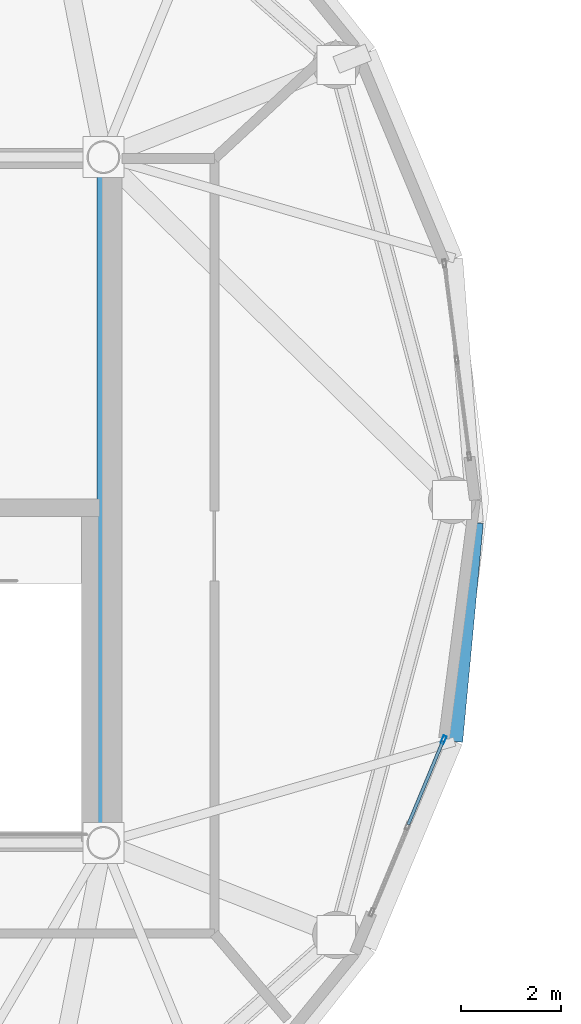
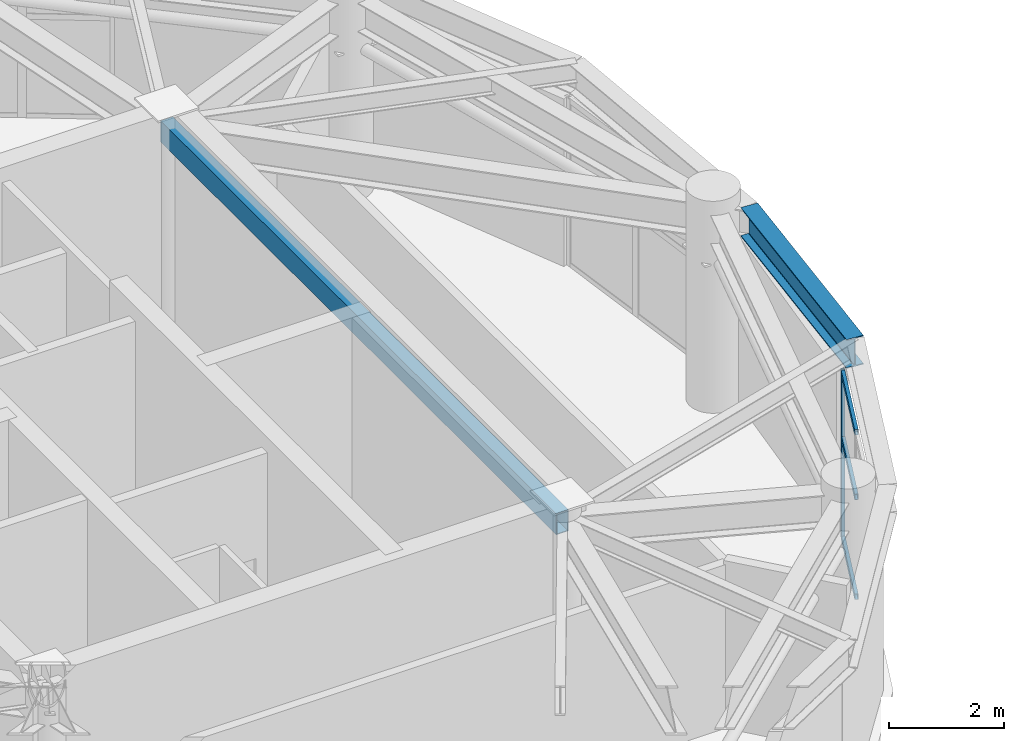
# One storey, part 6 of 26: 4 members, 2 beams, 1 element without a shape of its own.
"""IFC4 building model written with IfcOpenShell, lengths in metres."""

from ifc_helpers import new_model, si_unit, direction, frame, origin, origin_2d, place, context, subcontext, project, spatial, hollow_rectangle, i_section, extrude, material, layer, layer_set, material_profile, profile_set, type_object, element, aggregate, save


model = new_model("IFC4")

# Units and contexts
model_context = context("Model", 3, precision=1e-05, world=origin(), true_north=direction((0.0, 1.0)))
body_context = subcontext(model_context, "Body", "Model", "MODEL_VIEW")
ifc_project = project(units=[si_unit("LENGTHUNIT", "METRE"), si_unit("AREAUNIT", "SQUARE_METRE"), si_unit("VOLUMEUNIT", "CUBIC_METRE"), si_unit("PLANEANGLEUNIT", "RADIAN"), si_unit("MASSUNIT", "GRAM", prefix="KILO")], contexts=[model_context])

# Site, building, storey
site_placement = place(None, origin())
site = spatial("IfcSite", under=ifc_project, at=site_placement, CompositionType="ELEMENT")
building_placement = place(site_placement, origin())
building = spatial("IfcBuilding", under=site, at=building_placement, Name="Cununo Teusaquillo Station Towers", CompositionType="ELEMENT")
storey_placement = place(building_placement, frame((0.0, 0.0, 240.330078125)))
storey = spatial("IfcBuildingStorey", under=building, at=storey_placement, Name="L76", CompositionType="ELEMENT", Elevation=240.330078125)

# Beams
ifc_material_1 = material(Name="Steel EN 10025-2 S355J2", Category="steel")
ifc_material_profile_1 = material_profile(ifc_material_1, hollow_rectangle(XDim=0.25, YDim=0.449951171875, WallThickness=0.01611328125, at=origin_2d()), Name="RHS 450x250x16")
ifc_profile_set_1 = profile_set([ifc_material_profile_1], Name="Steel EN 10025-2 S355J2")
beam_type_1 = type_object("IfcBeamType", Name="BM-COUP-1", PredefinedType="USERDEFINED", material=ifc_profile_set_1)
beam_1_placement = place(storey_placement, frame((21.675048828125, 17.6201171875, 3.974853515625), z_axis=(0.0, 1.0, 0.0), x_axis=(-1.0, 0.0, 0.0)))
element("IfcBeam", 1, at=beam_1_placement, inside=storey, type_object=beam_type_1, Name="L76 Tower A Core Beam 2", ObjectType="COUPLING BEAM", PredefinedType="USERDEFINED", context=body_context, shape_type="SweptSolid", body=[
    extrude(hollow_rectangle(XDim=0.25, YDim=0.449951171875, WallThickness=0.01611328125, at=origin_2d()), origin(), (0.0, 0.0, 1.0), 13.759765625),
])
ifc_material_2 = material(Name="Steel ASTM A572 Grade 50", Category="steel")
ifc_material_profile_2 = material_profile(ifc_material_2, i_section(OverallWidth=0.324951171875, OverallDepth=0.615966796875, WebThickness=0.013916015625, FlangeThickness=0.021484375, FilletRadius=0.01611328125, at=origin_2d()), Name="W24X117")
ifc_profile_set_2 = profile_set([ifc_material_profile_2], Name="Steel ASTM A572 Grade 50")
beam_type_2 = type_object("IfcBeamType", Name="BM-PLNT-G2", PredefinedType="BEAM", material=ifc_profile_set_2)
beam_2_placement = place(storey_placement, frame((28.72119140625, 19.651611328125, 3.891845703125), z_axis=(0.093902932611, 0.995581357422, 0.0), x_axis=(-0.995581357422, 0.093902932611, 0.0)))
element("IfcBeam", 2, at=beam_2_placement, inside=storey, type_object=beam_type_2, Name="L76 Tower A Spandrel Ring Beam 20", PredefinedType="BEAM", context=body_context, shape_type="SweptSolid", body=[
    extrude(i_section(OverallWidth=0.324951171875, OverallDepth=0.615966796875, WebThickness=0.013916015625, FlangeThickness=0.021484375, FilletRadius=0.01611328125, at=origin_2d()), origin(), (0.0, 0.0, 1.0), 4.412109375),
])

# Curtain wall, members
ifc_material_3 = material(Name="Ceramic-fritted dark low-E double glazing", Category="glass")
ifc_layer = layer(ifc_material_3, 0.179931640625)
ifc_layer_set = layer_set([ifc_layer], Name="Ceramic-fritted dark low-E double glazing")
curtain_wall_type = type_object("IfcCurtainWallType", Name="CW-SYS-08", PredefinedType="USERDEFINED", material=ifc_layer_set)
curtain_wall_placement = place(storey_placement, origin())
curtain_wall = element("IfcCurtainWall", 3, at=curtain_wall_placement, inside=storey, type_object=curtain_wall_type, Name="L76 Tower A Crown Drum Glazed Screen C18", ObjectType="FRITTED GLAZING", PredefinedType="USERDEFINED")
ifc_material_4 = material(Name="Anodised dark bronze aluminium EN AW-6063-T6", Category="aluminium")
ifc_material_profile_3 = material_profile(ifc_material_4, hollow_rectangle(XDim=0.06494140625, YDim=0.159912109375, WallThickness=0.00390625, at=origin_2d()), Name="CW-MULL-65x160")
ifc_profile_set_3 = profile_set([ifc_material_profile_3], Name="Anodised dark bronze aluminium EN AW-6063-T6")
member_type_1 = type_object("IfcMemberType", Name="CWM-160", PredefinedType="MULLION", material=ifc_profile_set_3)
member_1_placement = place(storey_placement, frame((28.499267578125, 19.689453125, 0.0), z_axis=(0.0, 0.0, 1.0), x_axis=(0.923306740191, -0.384063358729, 0.0)))
member_1 = element("IfcMember", 4, at=member_1_placement, type_object=member_type_1, Name="CW-08 mullion 1", PredefinedType="MULLION", context=body_context, shape_type="SweptSolid", body=[
    extrude(hollow_rectangle(XDim=0.06494140625, YDim=0.159912109375, WallThickness=0.00390625, at=origin_2d()), origin(), (0.0, 0.0, 1.0), 3.555908203125),
])
ifc_material_5 = material(Name="Anodised dark bronze aluminium EN AW-6063-T6", Category="aluminium")
ifc_material_profile_4 = material_profile(ifc_material_5, hollow_rectangle(XDim=0.06494140625, YDim=0.1201171875, WallThickness=0.00390625, at=origin_2d()), Name="CW-TRAN-65x120")
ifc_profile_set_4 = profile_set([ifc_material_profile_4], Name="Anodised dark bronze aluminium EN AW-6063-T6")
member_type_2 = type_object("IfcMemberType", Name="CWT-120", PredefinedType="USERDEFINED", material=ifc_profile_set_4)
member_2_placement = place(storey_placement, frame((28.48681640625, 19.659423828125, 0.032470703125), z_axis=(-0.384079825978, -0.923299890218, 0.0), x_axis=(0.923299890218, -0.384079825978, 0.0)))
member_2 = element("IfcMember", 5, at=member_2_placement, type_object=member_type_2, Name="CW-08 transom 1.1", ObjectType="TRANSOM", PredefinedType="USERDEFINED", context=body_context, shape_type="SweptSolid", body=[
    extrude(hollow_rectangle(XDim=0.06494140625, YDim=0.1201171875, WallThickness=0.00390625, at=origin_2d()), origin(), (0.0, 0.0, 1.0), 1.81298828125),
])
member_3_placement = place(storey_placement, frame((28.48681640625, 19.659423828125, 2.14990234375), z_axis=(-0.384079825978, -0.923299890218, 0.0), x_axis=(0.923299890218, -0.384079825978, 0.0)))
member_3 = element("IfcMember", 6, at=member_3_placement, type_object=member_type_2, Name="CW-08 transom 1.2", ObjectType="TRANSOM", PredefinedType="USERDEFINED", context=body_context, shape_type="SweptSolid", body=[
    extrude(hollow_rectangle(XDim=0.06494140625, YDim=0.1201171875, WallThickness=0.00390625, at=origin_2d()), origin(), (0.0, 0.0, 1.0), 1.81298828125),
])
member_4_placement = place(storey_placement, frame((28.48681640625, 19.659423828125, 3.5234375), z_axis=(-0.384079825978, -0.923299890218, 0.0), x_axis=(0.923299890218, -0.384079825978, 0.0)))
member_4 = element("IfcMember", 7, at=member_4_placement, type_object=member_type_2, Name="CW-08 transom 1.3", ObjectType="TRANSOM", PredefinedType="USERDEFINED", context=body_context, shape_type="SweptSolid", body=[
    extrude(hollow_rectangle(XDim=0.06494140625, YDim=0.1201171875, WallThickness=0.00390625, at=origin_2d()), origin(), (0.0, 0.0, 1.0), 1.81298828125),
])
aggregate(curtain_wall, [member_1, member_2, member_3, member_4])

save(model, "model.ifc")
